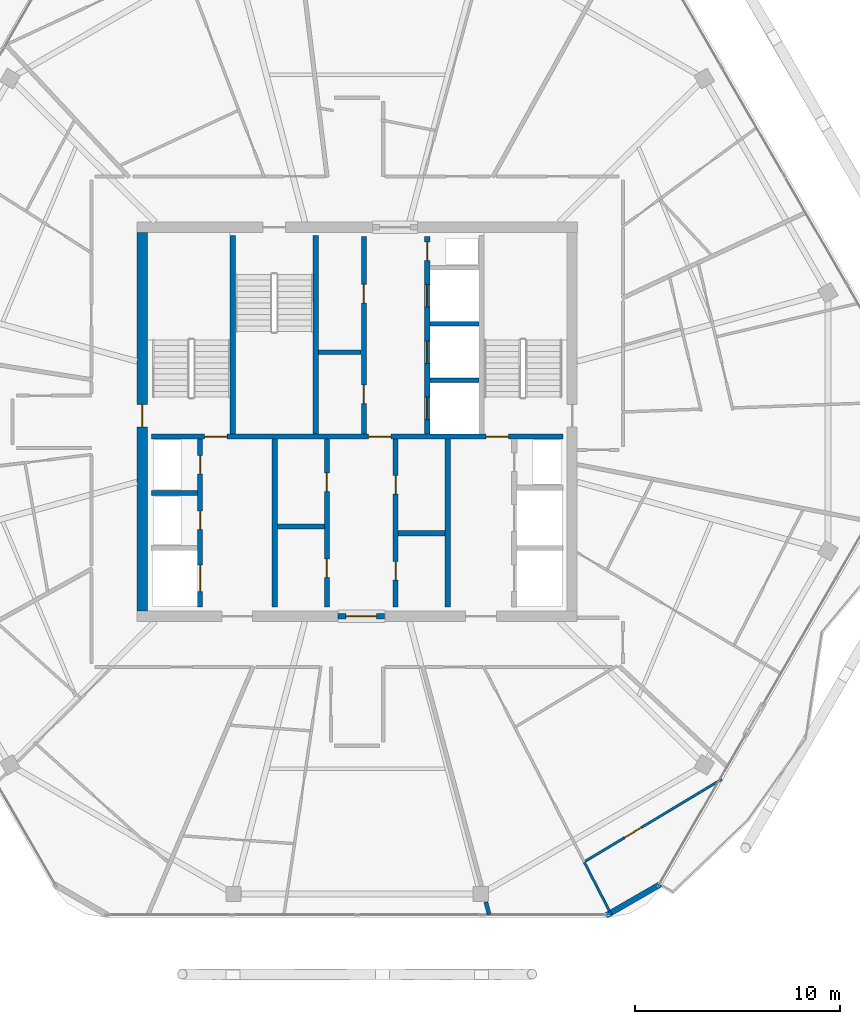
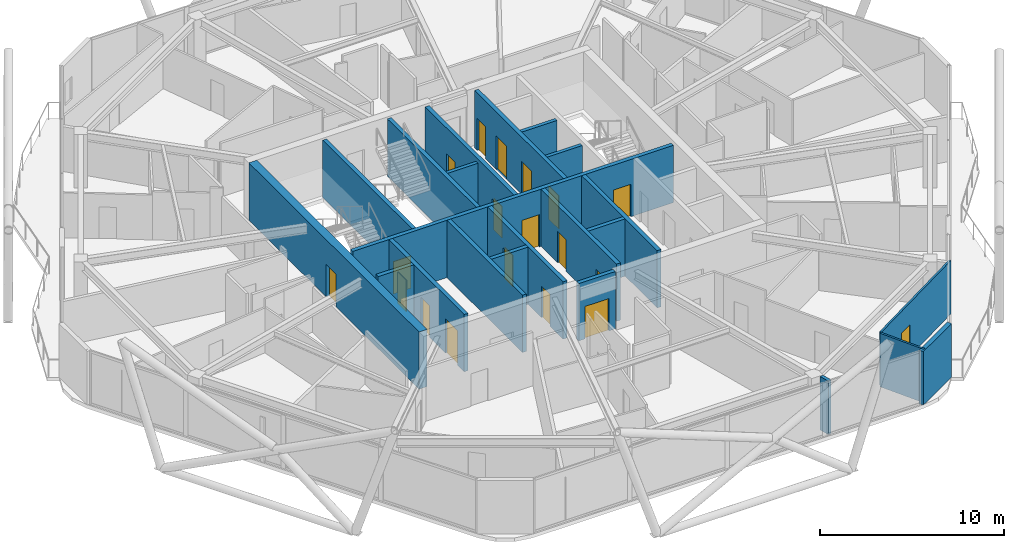
# One storey, part 18 of 24: 22 walls, 19 doors, 19 openings.
"""IFC4 building model written with IfcOpenShell, lengths in metres."""

from ifc_helpers import new_model, si_unit, direction, frame, frame_2d, origin, place, context, subcontext, project, spatial, rectangle, extrude, material, layer, layer_set, type_object, element, fill, save


model = new_model("IFC4")

# Units and contexts
model_context = context("Model", 3, precision=1e-05, world=origin(), true_north=direction((0.0, 1.0)))
body_context = subcontext(model_context, "Body", "Model", "MODEL_VIEW")
ifc_project = project(units=[si_unit("LENGTHUNIT", "METRE"), si_unit("AREAUNIT", "SQUARE_METRE"), si_unit("VOLUMEUNIT", "CUBIC_METRE"), si_unit("PLANEANGLEUNIT", "RADIAN"), si_unit("MASSUNIT", "GRAM", prefix="KILO")], contexts=[model_context])

# Site, building, storey
site_placement = place(None, origin())
site = spatial("IfcSite", under=ifc_project, at=site_placement, CompositionType="ELEMENT")
building_placement = place(site_placement, origin())
building = spatial("IfcBuilding", under=site, at=building_placement, Name="Zuhravey Tower", CompositionType="ELEMENT")
storey_placement = place(building_placement, frame((0.0, 0.0, 338.60009765625)))
storey = spatial("IfcBuildingStorey", under=building, at=storey_placement, Name="L86", CompositionType="ELEMENT", Elevation=338.60009765625)

# Wall, opening, door
ifc_material_1 = material(Name="Concrete C50/60", Category="concrete")
ifc_layer_1 = layer(ifc_material_1, 0.5)
ifc_layer_set_1 = layer_set([ifc_layer_1], Name="Concrete C50/60")
wall_type_1 = type_object("IfcWallType", Name="Core Shear Wall 500", PredefinedType="SHEAR", material=ifc_layer_set_1)
wall_1_placement = place(storey_placement, frame((25.5, 22.75, 0.0), z_axis=(0.0, 0.0, 1.0), x_axis=(0.0, 1.0, 0.0)))
wall_1 = element("IfcWall", 1, at=wall_1_placement, inside=storey, type_object=wall_type_1, Name="L86 West Core Shear Wall CW50", PredefinedType="SHEAR", context=body_context, shape_type="SweptSolid", body=[
    extrude(rectangle(XDim=18.5, YDim=0.5, at=frame_2d((9.25, 0.0))), origin(), (0.0, 0.0, 1.0), 3.7998046875),
])
opening_1_placement = place(wall_1_placement, frame((9.0, 0.0, 0.0)))
opening_1 = element("IfcOpeningElement", 2, at=opening_1_placement, cuts=wall_1, Name="Opening STD1", PredefinedType="OPENING", context=body_context, shape_type="SweptSolid", body=[
    extrude(rectangle(XDim=1.10009765625, YDim=2.14990234375, at=frame_2d((0.550048828125, 1.074951171875))), frame((0.0, 0.261962890625, 0.0), z_axis=(0.0, -1.0, 0.0), x_axis=(1.0, 0.0, 0.0)), (0.0, 0.0, 1.0), 0.52392578125),
])
ifc_material_2 = material(Name="Galvanised fire-rated steel leaf", Category="steel")
door_type_1 = type_object("IfcDoorType", Name="Protected Stair Fire Door 1100x2150", OperationType="NOTDEFINED", PredefinedType="USERDEFINED", material=ifc_material_2)
door_1_placement = place(opening_1_placement, frame((1.10009765625, 0.0, 0.0), z_axis=(0.0, 0.0, 1.0), x_axis=(-1.0, 0.0, 0.0)))
door_1 = element("IfcDoor", 3, at=door_1_placement, inside=storey, type_object=door_type_1, Name="L86 Stair ST1 Door", ObjectType="EXITDOOR", OperationType="SINGLE_SWING_LEFT", OverallHeight=2.14990234375, OverallWidth=1.10009765625, PredefinedType="USERDEFINED", context=body_context, shape_type="SweptSolid", body=[
    extrude(rectangle(XDim=1.10009765625, YDim=2.14990234375, at=frame_2d((0.550048828125, 1.074951171875))), frame((0.0, 0.02490234375, 0.0), z_axis=(0.0, -1.0, 0.0), x_axis=(1.0, 0.0, 0.0)), (0.0, 0.0, 1.0), 0.050048828125),
])
fill(opening_1, door_1)

# Wall
ifc_material_3 = material(Name="Precast concrete C40/50", Category="concrete")
ifc_layer_2 = layer(ifc_material_3, 0.280029296875)
ifc_layer_set_2 = layer_set([ifc_layer_2], Name="Precast concrete C40/50")
wall_type_2 = type_object("IfcWallType", Name="Crown Architectural Wall 280", PredefinedType="SOLIDWALL", material=ifc_layer_set_2)
wall_2_placement = place(storey_placement, frame((50.811279296875, 9.410888671875, 0.0), z_axis=(0.0, 0.0, 1.0), x_axis=(-0.866023752521, -0.50000286006, 0.0)))
element("IfcWall", 4, at=wall_2_placement, inside=storey, type_object=wall_type_2, Name="L86 Rounded Corner Closure Wall EW28-02", PredefinedType="SOLIDWALL", context=body_context, shape_type="SweptSolid", body=[
    extrude(rectangle(XDim=3.06494140625, YDim=0.280029296875, at=frame_2d((1.532470703125, 0.0))), origin(), (0.0, 0.0, 1.0), 3.5498046875),
])

# Wall, opening, door
ifc_layer_3 = layer(ifc_material_1, 0.25)
ifc_layer_set_3 = layer_set([ifc_layer_3], Name="Concrete C50/60")
wall_type_3 = type_object("IfcWallType", Name="Firefighting Shaft & Stair Wall 250", PredefinedType="SOLIDWALL", material=ifc_layer_set_3)
wall_3_placement = place(storey_placement, frame((35.06005859375, 22.5, 0.0), z_axis=(0.0, 0.0, 1.0), x_axis=(1.0, 0.0, 0.0)))
wall_3 = element("IfcWall", 5, at=wall_3_placement, inside=storey, type_object=wall_type_3, Name="L86 FW25 Shaft Wall 001", PredefinedType="SOLIDWALL", context=body_context, shape_type="SweptSolid", body=[
    extrude(rectangle(XDim=2.280029296875, YDim=0.25, at=frame_2d((1.14013671875, 0.0))), origin(), (0.0, 0.0, 1.0), 3.7998046875),
])
opening_2_placement = place(wall_3_placement, frame((0.389892578125, 0.0, 0.0)))
opening_2 = element("IfcOpeningElement", 6, at=opening_2_placement, cuts=wall_3, Name="Opening FFD1", PredefinedType="OPENING", context=body_context, shape_type="SweptSolid", body=[
    extrude(rectangle(XDim=1.5, YDim=2.14990234375, at=frame_2d((0.75, 1.074951171875))), frame((0.0, 0.136962890625, 0.0), z_axis=(0.0, -1.0, 0.0), x_axis=(1.0, 0.0, 0.0)), (0.0, 0.0, 1.0), 0.27392578125),
])
door_type_2 = type_object("IfcDoorType", Name="Firefighting Lobby Double Door 1500x2150", OperationType="DOUBLE_DOOR_SINGLE_SWING", PredefinedType="DOOR", material=ifc_material_2)
door_2_placement = place(opening_2_placement, frame((1.5, 0.0, 0.0), z_axis=(0.0, 0.0, 1.0), x_axis=(-1.0, 0.0, 0.0)))
door_2 = element("IfcDoor", 7, at=door_2_placement, inside=storey, type_object=door_type_2, Name="L86 South Lift Lobby Exit Door", OperationType="DOUBLE_DOOR_SINGLE_SWING", OverallHeight=2.14990234375, OverallWidth=1.5, PredefinedType="DOOR", context=body_context, shape_type="SweptSolid", body=[
    extrude(rectangle(XDim=1.5, YDim=2.14990234375, at=frame_2d((0.75, 1.074951171875))), frame((0.0, 0.02490234375, 0.0), z_axis=(0.0, -1.0, 0.0), x_axis=(1.0, 0.0, 0.0)), (0.0, 0.0, 1.0), 0.050048828125),
])
fill(opening_2, door_2)

# Wall, openings, doors
wall_4_placement = place(storey_placement, frame((25.949951171875, 31.27490234375, 0.0), z_axis=(0.0, 0.0, 1.0), x_axis=(1.0, 0.0, 0.0)))
wall_4 = element("IfcWall", 8, at=wall_4_placement, inside=storey, type_object=wall_type_3, Name="L86 FW25 Shaft Wall 003", PredefinedType="SOLIDWALL", context=body_context, shape_type="SweptSolid", body=[
    extrude(rectangle(XDim=20.10009765625, YDim=0.25, at=frame_2d((10.050048828125, 0.0))), origin(), (0.0, 0.0, 1.0), 3.7998046875),
])
opening_3_placement = place(wall_4_placement, frame((2.60009765625, 0.0, 0.0)))
opening_3 = element("IfcOpeningElement", 9, at=opening_3_placement, cuts=wall_4, Name="Opening STD1", PredefinedType="OPENING", context=body_context, shape_type="SweptSolid", body=[
    extrude(rectangle(XDim=1.10009765625, YDim=2.14990234375, at=frame_2d((0.550048828125, 1.074951171875))), frame((0.0, 0.136962890625, 0.0), z_axis=(0.0, -1.0, 0.0), x_axis=(1.0, 0.0, 0.0)), (0.0, 0.0, 1.0), 0.27392578125),
])
opening_4_placement = place(wall_4_placement, frame((10.60009765625, 0.0, 0.0)))
opening_4 = element("IfcOpeningElement", 10, at=opening_4_placement, cuts=wall_4, Name="Opening STD1", PredefinedType="OPENING", context=body_context, shape_type="SweptSolid", body=[
    extrude(rectangle(XDim=1.10009765625, YDim=2.14990234375, at=frame_2d((0.550048828125, 1.074951171875))), frame((0.0, 0.136962890625, 0.0), z_axis=(0.0, -1.0, 0.0), x_axis=(1.0, 0.0, 0.0)), (0.0, 0.0, 1.0), 0.27392578125),
])
opening_5_placement = place(wall_4_placement, frame((16.35009765625, 0.0, 0.0)))
opening_5 = element("IfcOpeningElement", 11, at=opening_5_placement, cuts=wall_4, Name="Opening STD1", PredefinedType="OPENING", context=body_context, shape_type="SweptSolid", body=[
    extrude(rectangle(XDim=1.10009765625, YDim=2.14990234375, at=frame_2d((0.550048828125, 1.074951171875))), frame((0.0, 0.136962890625, 0.0), z_axis=(0.0, -1.0, 0.0), x_axis=(1.0, 0.0, 0.0)), (0.0, 0.0, 1.0), 0.27392578125),
])
door_3_placement = place(opening_3_placement, origin())
door_3 = element("IfcDoor", 12, at=door_3_placement, inside=storey, type_object=door_type_1, Name="L86 FFL-W to ST1 Door", ObjectType="EXITDOOR", OperationType="SINGLE_SWING_RIGHT", OverallHeight=2.14990234375, OverallWidth=1.10009765625, PredefinedType="USERDEFINED", context=body_context, shape_type="SweptSolid", body=[
    extrude(rectangle(XDim=1.10009765625, YDim=2.14990234375, at=frame_2d((0.550048828125, 1.074951171875))), frame((0.0, 0.02490234375, 0.0), z_axis=(0.0, -1.0, 0.0), x_axis=(1.0, 0.0, 0.0)), (0.0, 0.0, 1.0), 0.050048828125),
])
fill(opening_3, door_3)
door_4_placement = place(opening_4_placement, origin())
door_4 = element("IfcDoor", 13, at=door_4_placement, inside=storey, type_object=door_type_1, Name="L86 Core Lobby Link Door", ObjectType="EXITDOOR", OperationType="SINGLE_SWING_LEFT", OverallHeight=2.14990234375, OverallWidth=1.10009765625, PredefinedType="USERDEFINED", context=body_context, shape_type="SweptSolid", body=[
    extrude(rectangle(XDim=1.10009765625, YDim=2.14990234375, at=frame_2d((0.550048828125, 1.074951171875))), frame((0.0, 0.02490234375, 0.0), z_axis=(0.0, -1.0, 0.0), x_axis=(1.0, 0.0, 0.0)), (0.0, 0.0, 1.0), 0.050048828125),
])
fill(opening_4, door_4)
door_5_placement = place(opening_5_placement, origin())
door_5 = element("IfcDoor", 14, at=door_5_placement, inside=storey, type_object=door_type_1, Name="L86 FFL-E to ST2 Door", ObjectType="EXITDOOR", OperationType="SINGLE_SWING_RIGHT", OverallHeight=2.14990234375, OverallWidth=1.10009765625, PredefinedType="USERDEFINED", context=body_context, shape_type="SweptSolid", body=[
    extrude(rectangle(XDim=1.10009765625, YDim=2.14990234375, at=frame_2d((0.550048828125, 1.074951171875))), frame((0.0, 0.02490234375, 0.0), z_axis=(0.0, -1.0, 0.0), x_axis=(1.0, 0.0, 0.0)), (0.0, 0.0, 1.0), 0.050048828125),
])
fill(opening_5, door_5)

# Walls
for number, where, z_axis, x_axis, name in (
    (15, (29.925048828125, 31.39990234375, 0.0), (0.0, 0.0, 1.0), (0.0, 1.0, 0.0), "L86 FW25 Shaft Wall 004"),
    (16, (33.97509765625, 31.39990234375, 0.0), (0.0, 0.0, 1.0), (0.0, 1.0, 0.0), "L86 FW25 Shaft Wall 005"),
):
    element("IfcWall", number, at=place(storey_placement, frame(where, z_axis=z_axis, x_axis=x_axis)), inside=storey, type_object=wall_type_3, Name=name, PredefinedType="SOLIDWALL", context=body_context, shape_type="SweptSolid", body=[
        extrude(rectangle(XDim=9.7001953125, YDim=0.25, at=frame_2d((4.85009765625, 0.0))), origin(), (0.0, 0.0, 1.0), 3.7998046875),
    ])

# Wall, openings, doors
wall_5_placement = place(storey_placement, frame((36.324951171875, 31.39990234375, 0.0), z_axis=(0.0, 0.0, 1.0), x_axis=(0.0, 1.0, 0.0)))
wall_5 = element("IfcWall", 17, at=wall_5_placement, inside=storey, type_object=wall_type_3, Name="L86 FW25 Shaft Wall 007", PredefinedType="SOLIDWALL", context=body_context, shape_type="SweptSolid", body=[
    extrude(rectangle(XDim=9.650146484375, YDim=0.25, at=frame_2d((4.8251953125, 0.0))), origin(), (0.0, 0.0, 1.0), 3.7998046875),
])
opening_6_placement = place(wall_5_placement, frame((1.489990234375, 0.0, 0.0)))
opening_6 = element("IfcOpeningElement", 18, at=opening_6_placement, cuts=wall_5, Name="Opening RSD1", PredefinedType="OPENING", context=body_context, shape_type="SweptSolid", body=[
    extrude(rectangle(XDim=0.89990234375, YDim=2.10009765625, at=frame_2d((0.449951171875, 1.050048828125))), frame((0.0, 0.136962890625, 0.0), z_axis=(0.0, -1.0, 0.0), x_axis=(1.0, 0.0, 0.0)), (0.0, 0.0, 1.0), 0.27392578125),
])
opening_7_placement = place(wall_5_placement, frame((6.409912109375, 0.0, 0.0)))
opening_7 = element("IfcOpeningElement", 19, at=opening_7_placement, cuts=wall_5, Name="Opening RSD1", PredefinedType="OPENING", context=body_context, shape_type="SweptSolid", body=[
    extrude(rectangle(XDim=0.89990234375, YDim=2.10009765625, at=frame_2d((0.449951171875, 1.050048828125))), frame((0.0, 0.136962890625, 0.0), z_axis=(0.0, -1.0, 0.0), x_axis=(1.0, 0.0, 0.0)), (0.0, 0.0, 1.0), 0.27392578125),
])
ifc_material_4 = material(Name="Galvanised fire-rated steel access leaf", Category="steel")
door_type_3 = type_object("IfcDoorType", Name="Riser & Shaft Access Fire Door 900x2100", OperationType="NOTDEFINED", PredefinedType="DOOR", material=ifc_material_4)
door_6_placement = place(opening_6_placement, origin())
door_6 = element("IfcDoor", 20, at=door_6_placement, inside=storey, type_object=door_type_3, Name="L86 Core Cleaner Store Door", OperationType="SINGLE_SWING_LEFT", OverallHeight=2.10009765625, OverallWidth=0.89990234375, PredefinedType="DOOR", context=body_context, shape_type="SweptSolid", body=[
    extrude(rectangle(XDim=0.89990234375, YDim=2.10009765625, at=frame_2d((0.449951171875, 1.050048828125))), frame((0.0, 0.02490234375, 0.0), z_axis=(0.0, -1.0, 0.0), x_axis=(1.0, 0.0, 0.0)), (0.0, 0.0, 1.0), 0.050048828125),
])
fill(opening_6, door_6)
door_7_placement = place(opening_7_placement, origin())
door_7 = element("IfcDoor", 21, at=door_7_placement, inside=storey, type_object=door_type_3, Name="L86 Core Pantry and Tea Room Door", OperationType="SINGLE_SWING_RIGHT", OverallHeight=2.10009765625, OverallWidth=0.89990234375, PredefinedType="DOOR", context=body_context, shape_type="SweptSolid", body=[
    extrude(rectangle(XDim=0.89990234375, YDim=2.10009765625, at=frame_2d((0.449951171875, 1.050048828125))), frame((0.0, 0.02490234375, 0.0), z_axis=(0.0, -1.0, 0.0), x_axis=(1.0, 0.0, 0.0)), (0.0, 0.0, 1.0), 0.050048828125),
])
fill(opening_7, door_7)

wall_6_placement = place(storey_placement, frame((39.425048828125, 31.39990234375, 0.0), z_axis=(0.0, 0.0, 1.0), x_axis=(0.0, 1.0, 0.0)))
wall_6 = element("IfcWall", 22, at=wall_6_placement, inside=storey, type_object=wall_type_3, Name="L86 FW25 Shaft Wall 008", PredefinedType="SOLIDWALL", context=body_context, shape_type="SweptSolid", body=[
    extrude(rectangle(XDim=9.650146484375, YDim=0.25, at=frame_2d((4.8251953125, 0.0))), origin(), (0.0, 0.0, 1.0), 3.7998046875),
])
opening_8_placement = place(wall_6_placement, frame((0.699951171875, 0.0, 0.0)))
opening_8 = element("IfcOpeningElement", 23, at=opening_8_placement, cuts=wall_6, Name="Opening LD1", PredefinedType="OPENING", context=body_context, shape_type="SweptSolid", body=[
    extrude(rectangle(XDim=1.10009765625, YDim=2.199951171875, at=frame_2d((0.550048828125, 1.10009765625))), frame((0.0, 0.136962890625, 0.0), z_axis=(0.0, -1.0, 0.0), x_axis=(1.0, 0.0, 0.0)), (0.0, 0.0, 1.0), 0.27392578125),
])
opening_9_placement = place(wall_6_placement, frame((3.449951171875, 0.0, 0.0)))
opening_9 = element("IfcOpeningElement", 24, at=opening_9_placement, cuts=wall_6, Name="Opening LD1", PredefinedType="OPENING", context=body_context, shape_type="SweptSolid", body=[
    extrude(rectangle(XDim=1.10009765625, YDim=2.199951171875, at=frame_2d((0.550048828125, 1.10009765625))), frame((0.0, 0.136962890625, 0.0), z_axis=(0.0, -1.0, 0.0), x_axis=(1.0, 0.0, 0.0)), (0.0, 0.0, 1.0), 0.27392578125),
])
opening_10_placement = place(wall_6_placement, frame((6.199951171875, 0.0, 0.0)))
opening_10 = element("IfcOpeningElement", 25, at=opening_10_placement, cuts=wall_6, Name="Opening LD1", PredefinedType="OPENING", context=body_context, shape_type="SweptSolid", body=[
    extrude(rectangle(XDim=1.10009765625, YDim=2.199951171875, at=frame_2d((0.550048828125, 1.10009765625))), frame((0.0, 0.136962890625, 0.0), z_axis=(0.0, -1.0, 0.0), x_axis=(1.0, 0.0, 0.0)), (0.0, 0.0, 1.0), 0.27392578125),
])
opening_11_placement = place(wall_6_placement, frame((8.469970703125, 0.0, 0.0)))
opening_11 = element("IfcOpeningElement", 26, at=opening_11_placement, cuts=wall_6, Name="Opening RSD1", PredefinedType="OPENING", context=body_context, shape_type="SweptSolid", body=[
    extrude(rectangle(XDim=0.89990234375, YDim=2.10009765625, at=frame_2d((0.449951171875, 1.050048828125))), frame((0.0, 0.136962890625, 0.0), z_axis=(0.0, -1.0, 0.0), x_axis=(1.0, 0.0, 0.0)), (0.0, 0.0, 1.0), 0.27392578125),
])
ifc_material_5 = material(Name="Brushed stainless steel", Category="steel")
door_type_4 = type_object("IfcDoorType", Name="Lift Landing Sliding Door 1100x2200", OperationType="DOUBLE_DOOR_SLIDING", PredefinedType="DOOR", material=ifc_material_5)
door_8_placement = place(opening_8_placement, origin())
door_8 = element("IfcDoor", 27, at=door_8_placement, inside=storey, type_object=door_type_4, Name="L86 Lift PL7 Landing Door", OperationType="DOUBLE_DOOR_SLIDING", OverallHeight=2.199951171875, OverallWidth=1.10009765625, PredefinedType="DOOR", context=body_context, shape_type="SweptSolid", body=[
    extrude(rectangle(XDim=1.10009765625, YDim=2.199951171875, at=frame_2d((0.550048828125, 1.10009765625))), frame((0.0, 0.02490234375, 0.0), z_axis=(0.0, -1.0, 0.0), x_axis=(1.0, 0.0, 0.0)), (0.0, 0.0, 1.0), 0.050048828125),
])
fill(opening_8, door_8)
door_9_placement = place(opening_9_placement, origin())
door_9 = element("IfcDoor", 28, at=door_9_placement, inside=storey, type_object=door_type_4, Name="L86 Lift PL8 Landing Door", OperationType="DOUBLE_DOOR_SLIDING", OverallHeight=2.199951171875, OverallWidth=1.10009765625, PredefinedType="DOOR", context=body_context, shape_type="SweptSolid", body=[
    extrude(rectangle(XDim=1.10009765625, YDim=2.199951171875, at=frame_2d((0.550048828125, 1.10009765625))), frame((0.0, 0.02490234375, 0.0), z_axis=(0.0, -1.0, 0.0), x_axis=(1.0, 0.0, 0.0)), (0.0, 0.0, 1.0), 0.050048828125),
])
fill(opening_9, door_9)
door_10_placement = place(opening_10_placement, origin())
door_10 = element("IfcDoor", 29, at=door_10_placement, inside=storey, type_object=door_type_4, Name="L86 Lift PL9 Landing Door", OperationType="DOUBLE_DOOR_SLIDING", OverallHeight=2.199951171875, OverallWidth=1.10009765625, PredefinedType="DOOR", context=body_context, shape_type="SweptSolid", body=[
    extrude(rectangle(XDim=1.10009765625, YDim=2.199951171875, at=frame_2d((0.550048828125, 1.10009765625))), frame((0.0, 0.02490234375, 0.0), z_axis=(0.0, -1.0, 0.0), x_axis=(1.0, 0.0, 0.0)), (0.0, 0.0, 1.0), 0.050048828125),
])
fill(opening_10, door_10)
door_11_placement = place(opening_11_placement, origin())
door_11 = element("IfcDoor", 30, at=door_11_placement, inside=storey, type_object=door_type_3, Name="L86 North Riser Door", OperationType="SINGLE_SWING_LEFT", OverallHeight=2.10009765625, OverallWidth=0.89990234375, PredefinedType="DOOR", context=body_context, shape_type="SweptSolid", body=[
    extrude(rectangle(XDim=0.89990234375, YDim=2.10009765625, at=frame_2d((0.449951171875, 1.050048828125))), frame((0.0, 0.02490234375, 0.0), z_axis=(0.0, -1.0, 0.0), x_axis=(1.0, 0.0, 0.0)), (0.0, 0.0, 1.0), 0.050048828125),
])
fill(opening_11, door_11)

# Wall
wall_7_placement = place(storey_placement, frame((25.949951171875, 28.52490234375, 0.0), z_axis=(0.0, 0.0, 1.0), x_axis=(1.0, 0.0, 0.0)))
element("IfcWall", 31, at=wall_7_placement, inside=storey, type_object=wall_type_3, Name="L86 FW25 Shaft Wall 010", PredefinedType="SOLIDWALL", context=body_context, shape_type="SweptSolid", body=[
    extrude(rectangle(XDim=2.25, YDim=0.25, at=frame_2d((1.125, 0.0))), origin(), (0.0, 0.0, 1.0), 3.7998046875),
])

# Wall, openings, doors
wall_8_placement = place(storey_placement, frame((28.324951171875, 22.949951171875, 0.0), z_axis=(0.0, 0.0, 1.0), x_axis=(0.0, 1.0, 0.0)))
wall_8 = element("IfcWall", 32, at=wall_8_placement, inside=storey, type_object=wall_type_3, Name="L86 FW25 Shaft Wall 011", PredefinedType="SOLIDWALL", context=body_context, shape_type="SweptSolid", body=[
    extrude(rectangle(XDim=8.199951171875, YDim=0.25, at=frame_2d((4.10009765625, 0.0))), origin(), (0.0, 0.0, 1.0), 3.7998046875),
])
opening_12_placement = place(wall_8_placement, frame((0.75, 0.0, 0.0)))
opening_12 = element("IfcOpeningElement", 33, at=opening_12_placement, cuts=wall_8, Name="Opening LD2", PredefinedType="OPENING", context=body_context, shape_type="SweptSolid", body=[
    extrude(rectangle(XDim=1.300048828125, YDim=2.300048828125, at=frame_2d((0.64990234375, 1.14990234375))), frame((0.0, 0.136962890625, 0.0), z_axis=(0.0, -1.0, 0.0), x_axis=(1.0, 0.0, 0.0)), (0.0, 0.0, 1.0), 0.27392578125),
])
opening_13_placement = place(wall_8_placement, frame((3.780029296875, 0.0, 0.0)))
opening_13 = element("IfcOpeningElement", 34, at=opening_13_placement, cuts=wall_8, Name="Opening RSD1", PredefinedType="OPENING", context=body_context, shape_type="SweptSolid", body=[
    extrude(rectangle(XDim=0.89990234375, YDim=2.10009765625, at=frame_2d((0.449951171875, 1.050048828125))), frame((0.0, 0.136962890625, 0.0), z_axis=(0.0, -1.0, 0.0), x_axis=(1.0, 0.0, 0.0)), (0.0, 0.0, 1.0), 0.27392578125),
])
opening_14_placement = place(wall_8_placement, frame((6.5, 0.0, 0.0)))
opening_14 = element("IfcOpeningElement", 35, at=opening_14_placement, cuts=wall_8, Name="Opening RSD1", PredefinedType="OPENING", context=body_context, shape_type="SweptSolid", body=[
    extrude(rectangle(XDim=0.89990234375, YDim=2.10009765625, at=frame_2d((0.449951171875, 1.050048828125))), frame((0.0, 0.136962890625, 0.0), z_axis=(0.0, -1.0, 0.0), x_axis=(1.0, 0.0, 0.0)), (0.0, 0.0, 1.0), 0.27392578125),
])
door_type_5 = type_object("IfcDoorType", Name="Freight & Stretcher Lift Sliding Door 1300x2300", OperationType="DOUBLE_DOOR_SLIDING", PredefinedType="DOOR", material=ifc_material_5)
door_12_placement = place(opening_12_placement, frame((1.300048828125, 0.0, 0.0), z_axis=(0.0, 0.0, 1.0), x_axis=(-1.0, 0.0, 0.0)))
door_12 = element("IfcDoor", 36, at=door_12_placement, inside=storey, type_object=door_type_5, Name="L86 Lift FF1 Landing Door", OperationType="DOUBLE_DOOR_SLIDING", OverallHeight=2.300048828125, OverallWidth=1.300048828125, PredefinedType="DOOR", context=body_context, shape_type="SweptSolid", body=[
    extrude(rectangle(XDim=1.300048828125, YDim=2.300048828125, at=frame_2d((0.64990234375, 1.14990234375))), frame((0.0, 0.02490234375, 0.0), z_axis=(0.0, -1.0, 0.0), x_axis=(1.0, 0.0, 0.0)), (0.0, 0.0, 1.0), 0.050048828125),
])
fill(opening_12, door_12)
door_13_placement = place(opening_13_placement, frame((0.89990234375, 0.0, 0.0), z_axis=(0.0, 0.0, 1.0), x_axis=(-1.0, 0.0, 0.0)))
door_13 = element("IfcDoor", 37, at=door_13_placement, inside=storey, type_object=door_type_3, Name="L86 Electrical Riser Door", OperationType="SINGLE_SWING_RIGHT", OverallHeight=2.10009765625, OverallWidth=0.89990234375, PredefinedType="DOOR", context=body_context, shape_type="SweptSolid", body=[
    extrude(rectangle(XDim=0.89990234375, YDim=2.10009765625, at=frame_2d((0.449951171875, 1.050048828125))), frame((0.0, 0.02490234375, 0.0), z_axis=(0.0, -1.0, 0.0), x_axis=(1.0, 0.0, 0.0)), (0.0, 0.0, 1.0), 0.050048828125),
])
fill(opening_13, door_13)
door_14_placement = place(opening_14_placement, frame((0.89990234375, 0.0, 0.0), z_axis=(0.0, 0.0, 1.0), x_axis=(-1.0, 0.0, 0.0)))
door_14 = element("IfcDoor", 38, at=door_14_placement, inside=storey, type_object=door_type_3, Name="L86 Smoke Shaft Access Door", OperationType="SINGLE_SWING_LEFT", OverallHeight=2.10009765625, OverallWidth=0.89990234375, PredefinedType="DOOR", context=body_context, shape_type="SweptSolid", body=[
    extrude(rectangle(XDim=0.89990234375, YDim=2.10009765625, at=frame_2d((0.449951171875, 1.050048828125))), frame((0.0, 0.02490234375, 0.0), z_axis=(0.0, -1.0, 0.0), x_axis=(1.0, 0.0, 0.0)), (0.0, 0.0, 1.0), 0.050048828125),
])
fill(opening_14, door_14)

# Walls
wall_9_placement = place(storey_placement, frame((31.97509765625, 22.949951171875, 0.0), z_axis=(0.0, 0.0, 1.0), x_axis=(0.0, 1.0, 0.0)))
element("IfcWall", 39, at=wall_9_placement, inside=storey, type_object=wall_type_3, Name="L86 FW25 Shaft Wall 012", PredefinedType="SOLIDWALL", context=body_context, shape_type="SweptSolid", body=[
    extrude(rectangle(XDim=8.199951171875, YDim=0.25, at=frame_2d((4.10009765625, 0.0))), origin(), (0.0, 0.0, 1.0), 3.7998046875),
])
wall_10_placement = place(storey_placement, frame((32.10009765625, 26.875, 0.0), z_axis=(0.0, 0.0, 1.0), x_axis=(1.0, 0.0, 0.0)))
element("IfcWall", 40, at=wall_10_placement, inside=storey, type_object=wall_type_3, Name="L86 FW25 Shaft Wall 013", PredefinedType="SOLIDWALL", context=body_context, shape_type="SweptSolid", body=[
    extrude(rectangle(XDim=2.2998046875, YDim=0.25, at=frame_2d((1.14990234375, 0.0))), origin(), (0.0, 0.0, 1.0), 3.7998046875),
])

# Wall, openings, doors
wall_11_placement = place(storey_placement, frame((34.52490234375, 22.949951171875, 0.0), z_axis=(0.0, 0.0, 1.0), x_axis=(0.0, 1.0, 0.0)))
wall_11 = element("IfcWall", 41, at=wall_11_placement, inside=storey, type_object=wall_type_3, Name="L86 FW25 Shaft Wall 014", PredefinedType="SOLIDWALL", context=body_context, shape_type="SweptSolid", body=[
    extrude(rectangle(XDim=8.199951171875, YDim=0.25, at=frame_2d((4.10009765625, 0.0))), origin(), (0.0, 0.0, 1.0), 3.7998046875),
])
opening_15_placement = place(wall_11_placement, frame((1.449951171875, 0.0, 0.0)))
opening_15 = element("IfcOpeningElement", 42, at=opening_15_placement, cuts=wall_11, Name="Opening RSD1", PredefinedType="OPENING", context=body_context, shape_type="SweptSolid", body=[
    extrude(rectangle(XDim=0.89990234375, YDim=2.10009765625, at=frame_2d((0.449951171875, 1.050048828125))), frame((0.0, 0.136962890625, 0.0), z_axis=(0.0, -1.0, 0.0), x_axis=(1.0, 0.0, 0.0)), (0.0, 0.0, 1.0), 0.27392578125),
])
opening_16_placement = place(wall_11_placement, frame((5.64990234375, 0.0, 0.0)))
opening_16 = element("IfcOpeningElement", 43, at=opening_16_placement, cuts=wall_11, Name="Opening RSD1", PredefinedType="OPENING", context=body_context, shape_type="SweptSolid", body=[
    extrude(rectangle(XDim=0.89990234375, YDim=2.10009765625, at=frame_2d((0.449951171875, 1.050048828125))), frame((0.0, 0.136962890625, 0.0), z_axis=(0.0, -1.0, 0.0), x_axis=(1.0, 0.0, 0.0)), (0.0, 0.0, 1.0), 0.27392578125),
])
door_15_placement = place(opening_15_placement, origin())
door_15 = element("IfcDoor", 44, at=door_15_placement, inside=storey, type_object=door_type_3, Name="L86 Housekeeping and Linen Room Door", OperationType="SINGLE_SWING_RIGHT", OverallHeight=2.10009765625, OverallWidth=0.89990234375, PredefinedType="DOOR", context=body_context, shape_type="SweptSolid", body=[
    extrude(rectangle(XDim=0.89990234375, YDim=2.10009765625, at=frame_2d((0.449951171875, 1.050048828125))), frame((0.0, 0.02490234375, 0.0), z_axis=(0.0, -1.0, 0.0), x_axis=(1.0, 0.0, 0.0)), (0.0, 0.0, 1.0), 0.050048828125),
])
fill(opening_15, door_15)
door_16_placement = place(opening_16_placement, origin())
door_16 = element("IfcDoor", 45, at=door_16_placement, inside=storey, type_object=door_type_3, Name="L86 Telecoms Switch Closet Door", OperationType="SINGLE_SWING_LEFT", OverallHeight=2.10009765625, OverallWidth=0.89990234375, PredefinedType="DOOR", context=body_context, shape_type="SweptSolid", body=[
    extrude(rectangle(XDim=0.89990234375, YDim=2.10009765625, at=frame_2d((0.449951171875, 1.050048828125))), frame((0.0, 0.02490234375, 0.0), z_axis=(0.0, -1.0, 0.0), x_axis=(1.0, 0.0, 0.0)), (0.0, 0.0, 1.0), 0.050048828125),
])
fill(opening_16, door_16)

# Wall
wall_12_placement = place(storey_placement, frame((38.0, 26.550048828125, 0.0), z_axis=(0.0, 0.0, 1.0), x_axis=(1.0, 0.0, 0.0)))
element("IfcWall", 46, at=wall_12_placement, inside=storey, type_object=wall_type_3, Name="L86 FW25 Shaft Wall 015", PredefinedType="SOLIDWALL", context=body_context, shape_type="SweptSolid", body=[
    extrude(rectangle(XDim=2.300048828125, YDim=0.25, at=frame_2d((1.14990234375, 0.0))), origin(), (0.0, 0.0, 1.0), 3.7998046875),
])

# Wall, openings, doors
wall_13_placement = place(storey_placement, frame((37.875, 22.949951171875, 0.0), z_axis=(0.0, 0.0, 1.0), x_axis=(0.0, 1.0, 0.0)))
wall_13 = element("IfcWall", 47, at=wall_13_placement, inside=storey, type_object=wall_type_3, Name="L86 FW25 Shaft Wall 016", PredefinedType="SOLIDWALL", context=body_context, shape_type="SweptSolid", body=[
    extrude(rectangle(XDim=8.199951171875, YDim=0.25, at=frame_2d((4.10009765625, 0.0))), origin(), (0.0, 0.0, 1.0), 3.7998046875),
])
opening_17_placement = place(wall_13_placement, frame((1.3125, 0.0, 0.0)))
opening_17 = element("IfcOpeningElement", 48, at=opening_17_placement, cuts=wall_13, Name="Opening RSD1", PredefinedType="OPENING", context=body_context, shape_type="SweptSolid", body=[
    extrude(rectangle(XDim=0.89990234375, YDim=2.10009765625, at=frame_2d((0.449951171875, 1.050048828125))), frame((0.0, 0.136962890625, 0.0), z_axis=(0.0, -1.0, 0.0), x_axis=(1.0, 0.0, 0.0)), (0.0, 0.0, 1.0), 0.27392578125),
])
opening_18_placement = place(wall_13_placement, frame((5.512451171875, 0.0, 0.0)))
opening_18 = element("IfcOpeningElement", 49, at=opening_18_placement, cuts=wall_13, Name="Opening RSD1", PredefinedType="OPENING", context=body_context, shape_type="SweptSolid", body=[
    extrude(rectangle(XDim=0.89990234375, YDim=2.10009765625, at=frame_2d((0.449951171875, 1.050048828125))), frame((0.0, 0.136962890625, 0.0), z_axis=(0.0, -1.0, 0.0), x_axis=(1.0, 0.0, 0.0)), (0.0, 0.0, 1.0), 0.27392578125),
])
door_17_placement = place(opening_17_placement, frame((0.89990234375, 0.0, 0.0), z_axis=(0.0, 0.0, 1.0), x_axis=(-1.0, 0.0, 0.0)))
door_17 = element("IfcDoor", 50, at=door_17_placement, inside=storey, type_object=door_type_3, Name="L86 Trunk Store Door", OperationType="SINGLE_SWING_RIGHT", OverallHeight=2.10009765625, OverallWidth=0.89990234375, PredefinedType="DOOR", context=body_context, shape_type="SweptSolid", body=[
    extrude(rectangle(XDim=0.89990234375, YDim=2.10009765625, at=frame_2d((0.449951171875, 1.050048828125))), frame((0.0, 0.02490234375, 0.0), z_axis=(0.0, -1.0, 0.0), x_axis=(1.0, 0.0, 0.0)), (0.0, 0.0, 1.0), 0.050048828125),
])
fill(opening_17, door_17)
door_18_placement = place(opening_18_placement, frame((0.89990234375, 0.0, 0.0), z_axis=(0.0, 0.0, 1.0), x_axis=(-1.0, 0.0, 0.0)))
door_18 = element("IfcDoor", 51, at=door_18_placement, inside=storey, type_object=door_type_3, Name="L86 Fiber Room Door", OperationType="SINGLE_SWING_LEFT", OverallHeight=2.10009765625, OverallWidth=0.89990234375, PredefinedType="DOOR", context=body_context, shape_type="SweptSolid", body=[
    extrude(rectangle(XDim=0.89990234375, YDim=2.10009765625, at=frame_2d((0.449951171875, 1.050048828125))), frame((0.0, 0.02490234375, 0.0), z_axis=(0.0, -1.0, 0.0), x_axis=(1.0, 0.0, 0.0)), (0.0, 0.0, 1.0), 0.050048828125),
])
fill(opening_18, door_18)

# Walls
wall_14_placement = place(storey_placement, frame((40.425048828125, 22.949951171875, 0.0), z_axis=(0.0, 0.0, 1.0), x_axis=(0.0, 1.0, 0.0)))
element("IfcWall", 52, at=wall_14_placement, inside=storey, type_object=wall_type_3, Name="L86 FW25 Shaft Wall 017", PredefinedType="SOLIDWALL", context=body_context, shape_type="SweptSolid", body=[
    extrude(rectangle(XDim=8.199951171875, YDim=0.25, at=frame_2d((4.10009765625, 0.0))), origin(), (0.0, 0.0, 1.0), 3.7998046875),
])
ifc_material_6 = material(Name="Gypsum double-stud party assembly")
ifc_layer_4 = layer(ifc_material_6, 0.199951171875)
ifc_layer_set_4 = layer_set([ifc_layer_4], Name="Gypsum double-stud party assembly")
wall_type_4 = type_object("IfcWallType", Name="Inter-Tenancy Party Wall 200", PredefinedType="PARTITIONING", material=ifc_layer_set_4)
wall_15_placement = place(storey_placement, frame((42.285888671875, 8.541015625, 0.0), z_axis=(0.0, 0.0, 1.0), x_axis=(0.258736085224, -0.965948051503, 0.0)))
element("IfcWall", 53, at=wall_15_placement, inside=storey, type_object=wall_type_4, Name="L86 IW20 Partition 079", PredefinedType="PARTITIONING", context=body_context, shape_type="SweptSolid", body=[
    extrude(rectangle(XDim=0.636962890625, YDim=0.199951171875, at=frame_2d((0.318359375, 0.0))), origin(), (0.0, 0.0, 1.0), 3.5498046875),
])
ifc_material_7 = material(Name="Gypsum acoustic stud assembly")
ifc_layer_5 = layer(ifc_material_7, 0.219970703125)
ifc_layer_set_5 = layer_set([ifc_layer_5], Name="Gypsum acoustic stud assembly")
wall_type_5 = type_object("IfcWallType", Name="School Acoustic Compartment Wall 220", PredefinedType="PARTITIONING", material=ifc_layer_set_5)
wall_16_placement = place(storey_placement, frame((34.10791015625, 35.39990234375, 0.0), z_axis=(0.0, 0.0, 1.0), x_axis=(1.0, 0.0, 0.0)))
element("IfcWall", 54, at=wall_16_placement, inside=storey, type_object=wall_type_5, Name="L86 IW22 Partition 059", PredefinedType="PARTITIONING", context=body_context, shape_type="SweptSolid", body=[
    extrude(rectangle(XDim=2.083984375, YDim=0.219970703125, at=frame_2d((1.0419921875, 0.0))), origin(), (0.0, 0.0, 1.0), 3.5498046875),
])
for number, where, z_axis, x_axis, name in (
    (55, (39.55810546875, 34.02490234375, 0.0), (0.0, 0.0, 1.0), (1.0, 0.0, 0.0), "L86 IW22 Partition 060"),
    (56, (39.55810546875, 36.77490234375, 0.0), (0.0, 0.0, 1.0), (1.0, 0.0, 0.0), "L86 IW22 Partition 061"),
):
    element("IfcWall", number, at=place(storey_placement, frame(where, z_axis=z_axis, x_axis=x_axis)), inside=storey, type_object=wall_type_5, Name=name, PredefinedType="PARTITIONING", context=body_context, shape_type="SweptSolid", body=[
        extrude(rectangle(XDim=2.3837890625, YDim=0.219970703125, at=frame_2d((1.19189453125, 0.0))), origin(), (0.0, 0.0, 1.0), 3.5498046875),
    ])

# Wall, opening, door
ifc_material_8 = material(Name="Gypsum metal-stud partition")
ifc_layer_6 = layer(ifc_material_8, 0.1201171875)
ifc_layer_set_6 = layer_set([ifc_layer_6], Name="Gypsum metal-stud partition")
wall_type_6 = type_object("IfcWallType", Name="Unit Internal Partition 120", PredefinedType="PARTITIONING", material=ifc_layer_set_6)
wall_17_placement = place(storey_placement, frame((47.14599609375, 10.534912109375, 0.0), z_axis=(0.0, 0.0, 1.0), x_axis=(0.857151907368, 0.515063692853, 0.0)))
wall_17 = element("IfcWall", 57, at=wall_17_placement, inside=storey, type_object=wall_type_6, Name="L86 IW12 Partition 039", PredefinedType="PARTITIONING", context=body_context, shape_type="SweptSolid", body=[
    extrude(rectangle(XDim=7.774169921875, YDim=0.1201171875, at=frame_2d((3.88720703125, 0.0))), origin(), (0.0, 0.0, 1.0), 3.5498046875),
])
opening_19_placement = place(wall_17_placement, frame((2.227783203125, 0.0, 0.0)))
opening_19 = element("IfcOpeningElement", 58, at=opening_19_placement, cuts=wall_17, Name="Opening IND1", PredefinedType="OPENING", context=body_context, shape_type="SweptSolid", body=[
    extrude(rectangle(XDim=0.949951171875, YDim=2.10009765625, at=frame_2d((0.47509765625, 1.050048828125))), frame((0.0, 0.072021484375, 0.0), z_axis=(0.0, -1.0, 0.0), x_axis=(1.0, 0.0, 0.0)), (0.0, 0.0, 1.0), 0.14404296875),
])
ifc_material_9 = material(Name="Painted engineered timber leaf", Category="wood")
door_type_6 = type_object("IfcDoorType", Name="Internal Room & Bedroom Door 950x2100", OperationType="NOTDEFINED", PredefinedType="DOOR", material=ifc_material_9)
door_19_placement = place(opening_19_placement, frame((0.949951171875, 0.0, 0.0), z_axis=(0.0, 0.0, 1.0), x_axis=(-1.0, 0.0, 0.0)))
door_19 = element("IfcDoor", 59, at=door_19_placement, inside=storey, type_object=door_type_6, Name="Apartment L86-05 Kitchen Door", OperationType="SINGLE_SWING_RIGHT", OverallHeight=2.10009765625, OverallWidth=0.949951171875, PredefinedType="DOOR", context=body_context, shape_type="SweptSolid", body=[
    extrude(rectangle(XDim=0.949951171875, YDim=2.10009765625, at=frame_2d((0.47509765625, 1.050048828125))), frame((0.0, 0.02490234375, 0.0), z_axis=(0.0, -1.0, 0.0), x_axis=(1.0, 0.0, 0.0)), (0.0, 0.0, 1.0), 0.050048828125),
])
fill(opening_19, door_19)

# Wall
wall_18_placement = place(storey_placement, frame((47.09912109375, 10.477783203125, 0.0), z_axis=(0.0, 0.0, 1.0), x_axis=(0.458284902265, -0.888805348969, 0.0)))
element("IfcWall", 60, at=wall_18_placement, inside=storey, type_object=wall_type_6, Name="L86 IW12 Partition 081", PredefinedType="PARTITIONING", context=body_context, shape_type="SweptSolid", body=[
    extrude(rectangle(XDim=2.84912109375, YDim=0.1201171875, at=frame_2d((1.424560546875, 0.0))), origin(), (0.0, 0.0, 1.0), 3.5498046875),
])

save(model, "model.ifc")
